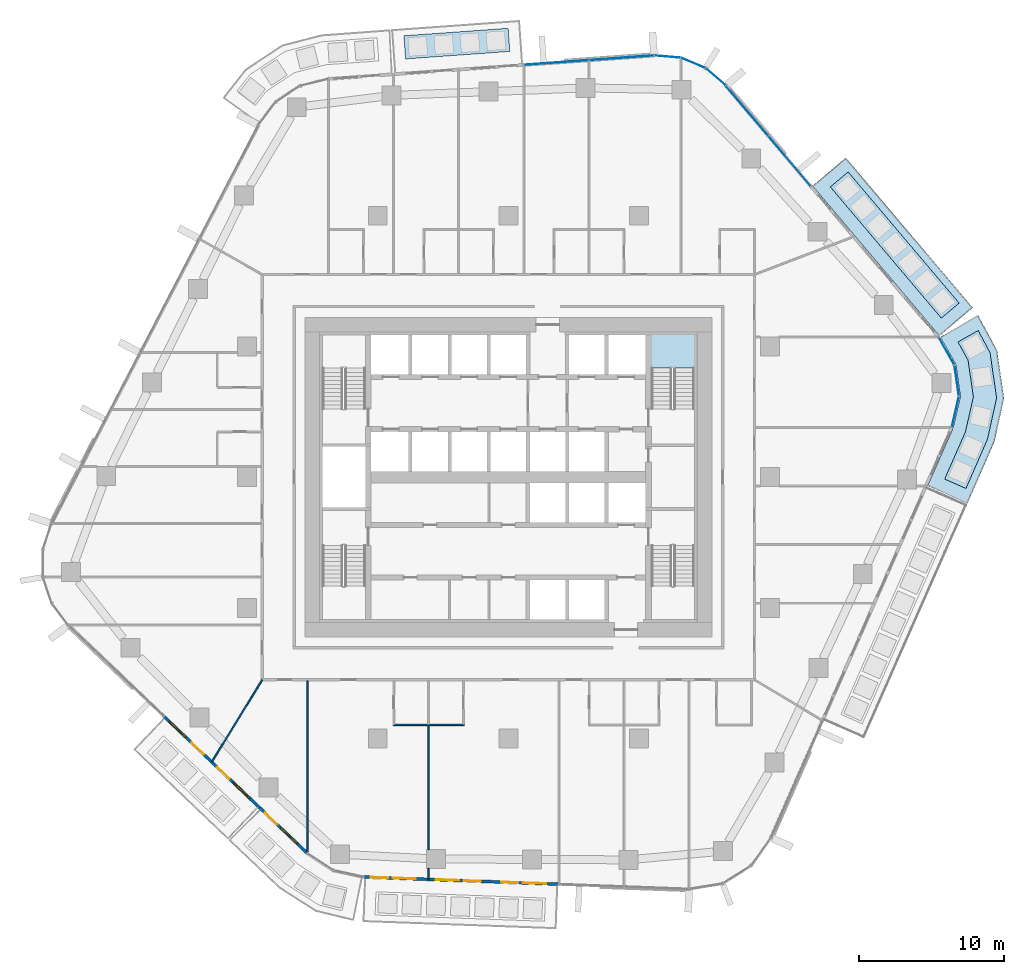
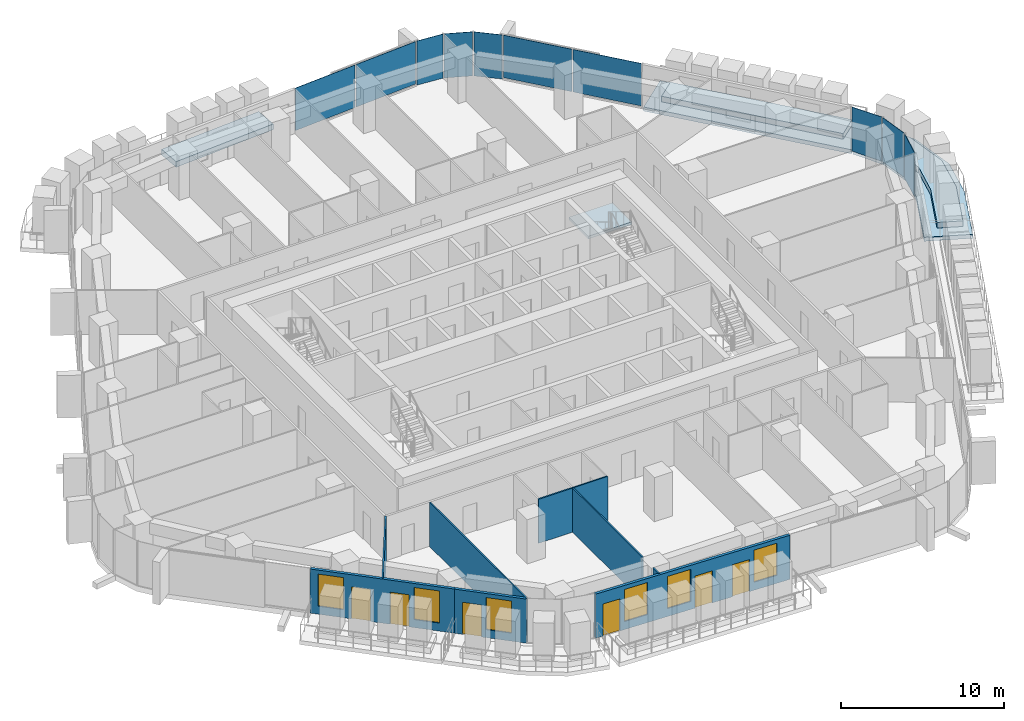
# One storey, part 11 of 24: 10 plates, 8 walls, 6 doors, 6 slabs, 6 windows, 12 openings, 5 elements without a shape of their own.
"""IFC4 building model written with IfcOpenShell, lengths in metres."""

from ifc_helpers import new_model, si_unit, direction, frame, frame_2d, origin, origin_2d, place, context, subcontext, project, spatial, polyline, rectangle, outline, extrude, material, layer, layer_set, type_object, element, fill, aggregate, save


model = new_model("IFC4")

# Units and contexts
model_context = context("Model", 3, precision=1e-05, world=origin(), true_north=direction((0.0, 1.0)))
body_context = subcontext(model_context, "Body", "Model", "MODEL_VIEW")
ifc_project = project(units=[si_unit("LENGTHUNIT", "METRE"), si_unit("AREAUNIT", "SQUARE_METRE"), si_unit("VOLUMEUNIT", "CUBIC_METRE"), si_unit("PLANEANGLEUNIT", "RADIAN"), si_unit("MASSUNIT", "GRAM", prefix="KILO")], contexts=[model_context])

# Site, building, storey
site_placement = place(None, origin())
site = spatial("IfcSite", under=ifc_project, at=site_placement, CompositionType="ELEMENT")
building_placement = place(site_placement, origin())
building = spatial("IfcBuilding", under=site, at=building_placement, Name="Dongbaek Canopy Tower", CompositionType="ELEMENT")
storey_placement = place(building_placement, frame((0.0, 0.0, 110.0)))
storey = spatial("IfcBuildingStorey", under=building, at=storey_placement, Name="L23", CompositionType="ELEMENT", Elevation=110.0)

# Slabs
ifc_material_1 = material(Name="Concrete C40/50", Category="concrete")
ifc_layer_1 = layer(ifc_material_1, 0.300048828125)
ifc_layer_set_1 = layer_set([ifc_layer_1], Name="Balcony slab 300")
slab_type_1 = type_object("IfcSlabType", Name="Balcony slab 300", PredefinedType="FLOOR", material=ifc_layer_set_1)
slab_1_placement = place(storey_placement, frame((0.0, 0.0, -0.300048828125)))
element("IfcSlab", 1, at=slab_1_placement, inside=storey, type_object=slab_type_1, Name="Balcony L23 1", PredefinedType="FLOOR", context=body_context, shape_type="SweptSolid", body=[
    extrude(outline(polyline([(29.67626953125, 9.7314453125), (20.938720703125, 20.0546875), (23.228515625, 21.99267578125), (31.966064453125, 11.669677734375), (29.67626953125, 9.7314453125)])), origin(), (0.0, 0.0, 1.0), 0.300048828125),
])
slab_2_placement = place(storey_placement, frame((0.0, 0.0, -0.300048828125)))
element("IfcSlab", 2, at=slab_2_placement, inside=storey, type_object=slab_type_1, Name="Balcony L23 6", PredefinedType="FLOOR", context=body_context, shape_type="SweptSolid", body=[
    extrude(outline(polyline([(28.859130859375, -0.596435546875), (30.619384765625, 3.397216796875), (31.123291015625, 5.561279296875), (30.80517578125, 7.760498046875), (29.733154296875, 9.649658203125), (32.342529296875, 11.13037109375), (33.6435546875, 8.732421875), (34.12060546875, 5.43359375), (33.465087890625, 2.44775390625), (31.6044921875, -1.806396484375), (28.859130859375, -0.596435546875)])), origin(), (0.0, 0.0, 1.0), 0.300048828125),
])

# Curtain wall, plates
ifc_material_2 = material(Name="Aluminium 6063-T6 pale anodised", Category="aluminium")
ifc_layer_2 = layer(ifc_material_2, 0.199951171875)
ifc_layer_set_2 = layer_set([ifc_layer_2], Name="CW-1 unitised tower curtain wall")
curtain_wall_type = type_object("IfcCurtainWallType", Name="CW-1 unitised tower curtain wall", PredefinedType="NOTDEFINED", material=ifc_layer_set_2)
curtain_wall_1_placement = place(storey_placement, origin())
curtain_wall_1 = element("IfcCurtainWall", 3, at=curtain_wall_1_placement, inside=storey, type_object=curtain_wall_type, Name="CW-1 curtain wall K0.1", PredefinedType="NOTDEFINED")
ifc_material_3 = material(Name="Clear laminated glass", Category="glass")
ifc_layer_3 = layer(ifc_material_3, 0.028076171875)
ifc_layer_set_3 = layer_set([ifc_layer_3], Name="CW-1 glazed panel 28")
plate_type = type_object("IfcPlateType", Name="CW-1 glazed panel 28", PredefinedType="CURTAIN_PANEL", material=ifc_layer_set_3)
plate_1_placement = place(storey_placement, frame((30.77294921875, 4.497314453125, 0.0), z_axis=(0.0, 0.0, 1.0), x_axis=(0.226863171729, 0.973926640622, 0.0)))
plate_1 = element("IfcPlate", 4, at=plate_1_placement, type_object=plate_type, Name="CW-1 panel K0.1.1.1", PredefinedType="CURTAIN_PANEL", context=body_context, shape_type="SweptSolid", body=[
    extrude(rectangle(XDim=2.10986328125, YDim=0.028076171875, at=origin_2d()), origin(), (0.0, 0.0, 1.0), 3.300048828125),
])
plate_2_placement = place(storey_placement, frame((30.865478515625, 6.646728515625, 0.0), z_axis=(0.0, 0.0, 1.0), x_axis=(-0.143155516293, 0.989700206201, 0.0)))
plate_2 = element("IfcPlate", 5, at=plate_2_placement, type_object=plate_type, Name="CW-1 panel K0.1.2.1", PredefinedType="CURTAIN_PANEL", context=body_context, shape_type="SweptSolid", body=[
    extrude(rectangle(XDim=2.100341796875, YDim=0.028076171875, at=origin_2d()), origin(), (0.0, 0.0, 1.0), 3.300048828125),
])
plate_3_placement = place(storey_placement, frame((30.167724609375, 8.681640625, 0.0), z_axis=(0.0, 0.0, 1.0), x_axis=(-0.493538616507, 0.869723883779, 0.0)))
plate_3 = element("IfcPlate", 6, at=plate_3_placement, type_object=plate_type, Name="CW-1 panel K0.1.3.1", PredefinedType="CURTAIN_PANEL", context=body_context, shape_type="SweptSolid", body=[
    extrude(rectangle(XDim=2.10986328125, YDim=0.028076171875, at=origin_2d()), origin(), (0.0, 0.0, 1.0), 3.300048828125),
])
aggregate(curtain_wall_1, [plate_1, plate_2, plate_3])

curtain_wall_2_placement = place(storey_placement, origin())
curtain_wall_2 = element("IfcCurtainWall", 7, at=curtain_wall_2_placement, inside=storey, type_object=curtain_wall_type, Name="CW-1 curtain wall F0.1", PredefinedType="NOTDEFINED")
plate_4_placement = place(storey_placement, frame((19.363037109375, 21.761474609375, 0.1201171875), z_axis=(0.0, 0.0, 1.0), x_axis=(-0.646056104712, 0.763289924972, 0.0)))
plate_4 = element("IfcPlate", 8, at=plate_4_placement, type_object=plate_type, Name="CW-1 panel F0.1.1.1", PredefinedType="CURTAIN_PANEL", context=body_context, shape_type="SweptSolid", body=[
    extrude(rectangle(XDim=4.45751953125, YDim=0.028076171875, at=origin_2d()), origin(), (0.0, 0.0, 1.0), 3.179931640625),
])
plate_5_placement = place(storey_placement, frame((16.431396484375, 25.224853515625, 0.1201171875), z_axis=(0.0, 0.0, 1.0), x_axis=(-0.646056104712, 0.763289924972, 0.0)))
plate_5 = element("IfcPlate", 9, at=plate_5_placement, type_object=plate_type, Name="CW-1 panel F0.1.2.1", PredefinedType="CURTAIN_PANEL", context=body_context, shape_type="SweptSolid", body=[
    extrude(rectangle(XDim=4.44970703125, YDim=0.028076171875, at=origin_2d()), origin(), (0.0, 0.0, 1.0), 3.179931640625),
])
aggregate(curtain_wall_2, [plate_4, plate_5])

curtain_wall_3_placement = place(storey_placement, origin())
curtain_wall_3 = element("IfcCurtainWall", 10, at=curtain_wall_3_placement, inside=storey, type_object=curtain_wall_type, Name="CW-1 curtain wall K1.1", PredefinedType="NOTDEFINED")
plate_6_placement = place(storey_placement, frame((14.266845703125, 27.55908203125, 0.0), z_axis=(0.0, 0.0, 1.0), x_axis=(-0.757258468525, 0.653115312825, 0.0)))
plate_6 = element("IfcPlate", 11, at=plate_6_placement, type_object=plate_type, Name="CW-1 panel K1.1.1.1", PredefinedType="CURTAIN_PANEL", context=body_context, shape_type="SweptSolid", body=[
    extrude(rectangle(XDim=1.76513671875, YDim=0.028076171875, at=origin_2d()), origin(), (0.0, 0.0, 1.0), 3.300048828125),
])
plate_7_placement = place(storey_placement, frame((12.71826171875, 28.519775390625, 0.0), z_axis=(0.0, 0.0, 1.0), x_axis=(-0.92172443786, 0.387845408186, 0.0)))
plate_7 = element("IfcPlate", 12, at=plate_7_placement, type_object=plate_type, Name="CW-1 panel K1.1.2.1", PredefinedType="CURTAIN_PANEL", context=body_context, shape_type="SweptSolid", body=[
    extrude(rectangle(XDim=1.757080078125, YDim=0.028076171875, at=origin_2d()), origin(), (0.0, 0.0, 1.0), 3.300048828125),
])
plate_8_placement = place(storey_placement, frame((10.948486328125, 28.955322265625, 0.0), z_axis=(0.0, 0.0, 1.0), x_axis=(-0.996398614139, 0.084792698641, 0.0)))
plate_8 = element("IfcPlate", 13, at=plate_8_placement, type_object=plate_type, Name="CW-1 panel K1.1.3.1", PredefinedType="CURTAIN_PANEL", context=body_context, shape_type="SweptSolid", body=[
    extrude(rectangle(XDim=1.76513671875, YDim=0.028076171875, at=origin_2d()), origin(), (0.0, 0.0, 1.0), 3.300048828125),
])
aggregate(curtain_wall_3, [plate_6, plate_7, plate_8])

curtain_wall_4_placement = place(storey_placement, origin())
curtain_wall_4 = element("IfcCurtainWall", 14, at=curtain_wall_4_placement, inside=storey, type_object=curtain_wall_type, Name="CW-1 curtain wall F1.1", PredefinedType="NOTDEFINED")
plate_9_placement = place(storey_placement, frame((7.7880859375, 28.87255859375, 0.1201171875), z_axis=(0.0, 0.0, 1.0), x_axis=(-0.997423165551, -0.071742796309, 0.0)))
plate_9 = element("IfcPlate", 15, at=plate_9_placement, type_object=plate_type, Name="CW-1 panel F1.1.1.1", PredefinedType="CURTAIN_PANEL", context=body_context, shape_type="SweptSolid", body=[
    extrude(rectangle(XDim=4.40576171875, YDim=0.028076171875, at=origin_2d()), origin(), (0.0, 0.0, 1.0), 3.179931640625),
])
plate_10_placement = place(storey_placement, frame((3.305908203125, 28.55029296875, 0.1201171875), z_axis=(0.0, 0.0, 1.0), x_axis=(-0.997423165551, -0.071742796309, 0.0)))
plate_10 = element("IfcPlate", 16, at=plate_10_placement, type_object=plate_type, Name="CW-1 panel F1.1.2.1", PredefinedType="CURTAIN_PANEL", context=body_context, shape_type="SweptSolid", body=[
    extrude(rectangle(XDim=4.41357421875, YDim=0.028076171875, at=origin_2d()), origin(), (0.0, 0.0, 1.0), 3.179931640625),
])
aggregate(curtain_wall_4, [plate_9, plate_10])

# Stair, slab
ifc_material_4 = material(Name="Concrete C40/50", Category="concrete")
stair_type = type_object("IfcStairType", Name="Core exit stair", PredefinedType="HALF_TURN_STAIR", material=ifc_material_4)
stair_placement = place(storey_placement, origin())
stair = element("IfcStair", 17, at=stair_placement, inside=storey, type_object=stair_type, Name="L23 exit stair A", PredefinedType="HALF_TURN_STAIR")
ifc_material_5 = material(Name="Concrete C40/50", Category="concrete")
ifc_layer_4 = layer(ifc_material_5, 0.199951171875)
ifc_layer_set_4 = layer_set([ifc_layer_4], Name="Core stair landing 200")
slab_type_2 = type_object("IfcSlabType", Name="Core stair landing 200", PredefinedType="LANDING", material=ifc_layer_set_4)
slab_3_placement = place(storey_placement, frame((0.0, 0.0, 1.64990234375)))
slab_3 = element("IfcSlab", 18, at=slab_3_placement, type_object=slab_type_2, Name="ST-A landing 1", PredefinedType="LANDING", context=body_context, shape_type="SweptSolid", body=[
    extrude(outline(polyline([(12.875, 7.5), (12.875, 9.875), (9.77490234375, 9.875), (9.77490234375, 7.5), (12.875, 7.5)])), origin(), (0.0, 0.0, 1.0), 0.2001953125),
])
aggregate(stair, [slab_3])

# Slabs
ifc_material_6 = material(Name="Reinforced concrete C40/50 planter box with soil", Category="concrete")
ifc_layer_5 = layer(ifc_material_6, 0.419921875)
ifc_layer_set_5 = layer_set([ifc_layer_5], Name="Terrace planter box 1600 x 420")
slab_type_3 = type_object("IfcSlabType", Name="Terrace planter box 1600 x 420", PredefinedType="USERDEFINED", material=ifc_layer_set_5)
slab_4_placement = place(storey_placement, origin())
element("IfcSlab", 19, at=slab_4_placement, inside=storey, type_object=slab_type_3, Name="Balcony planter L23 1", ObjectType="PLANTER", PredefinedType="USERDEFINED", context=body_context, shape_type="SweptSolid", body=[
    extrude(outline(polyline([(29.806396484375, 10.955078125), (22.167236328125, 19.980712890625), (23.388427734375, 21.014404296875), (31.02783203125, 11.98876953125), (29.806396484375, 10.955078125)])), origin(), (0.0, 0.0, 1.0), 0.419921875),
])
slab_5_placement = place(storey_placement, origin())
element("IfcSlab", 20, at=slab_5_placement, inside=storey, type_object=slab_type_3, Name="Balcony planter L23 2", ObjectType="PLANTER", PredefinedType="USERDEFINED", context=body_context, shape_type="SweptSolid", body=[
    extrude(outline(polyline([(0.09423828125, 29.311767578125), (-7.08251953125, 28.795654296875), (-7.197265625, 30.391357421875), (-0.0205078125, 30.90771484375), (0.09423828125, 29.311767578125)])), origin(), (0.0, 0.0, 1.0), 0.419921875),
])
slab_6_placement = place(storey_placement, origin())
element("IfcSlab", 21, at=slab_6_placement, inside=storey, type_object=slab_type_3, Name="Balcony planter L23 6", ObjectType="PLANTER", PredefinedType="USERDEFINED", context=body_context, shape_type="SweptSolid", body=[
    extrude(outline(polyline([(30.03662109375, -0.1318359375), (31.463623046875, 3.115478515625), (32.0126953125, 5.5234375), (31.647216796875, 8.048828125), (30.951416015625, 9.30615234375), (32.343017578125, 10.095947265625), (33.1611328125, 8.567138671875), (33.611083984375, 5.455322265625), (32.9814453125, 2.609130859375), (31.500732421875, -0.777099609375), (30.03662109375, -0.1318359375)])), origin(), (0.0, 0.0, 1.0), 0.419921875),
])

# Walls
ifc_material_7 = material(Name="Gypsum board partition, steel stud, 2 x 12.5 mm board", Category="steel")
ifc_layer_6 = layer(ifc_material_7, 0.10009765625)
ifc_layer_set_6 = layer_set([ifc_layer_6], Name="Partition 100 gypsum board")
wall_type_1 = type_object("IfcWallType", Name="Partition 100 gypsum board", PredefinedType="PARTITIONING", material=ifc_layer_set_6)
wall_1_placement = place(storey_placement, frame((-7.941650390625, -17.050048828125, 0.0), z_axis=(0.0, 0.0, 1.0), x_axis=(1.0, 0.0, 0.0)))
element("IfcWall", 22, at=wall_1_placement, inside=storey, type_object=wall_type_1, Name="Partition", PredefinedType="PARTITIONING", context=body_context, shape_type="SweptSolid", body=[
    extrude(rectangle(XDim=4.900146484375, YDim=0.10009765625, at=frame_2d((2.4501953125, 0.0))), origin(), (0.0, 0.0, 1.0), 3.300048828125),
])
wall_2_placement = place(storey_placement, frame((-20.415283203125, -19.595703125, 0.0), z_axis=(0.0, 0.0, 1.0), x_axis=(0.5230874117, 0.85227903865, 0.0)))
element("IfcWall", 23, at=wall_2_placement, inside=storey, type_object=wall_type_1, Name="Partition", PredefinedType="PARTITIONING", context=body_context, shape_type="SweptSolid", body=[
    extrude(rectangle(XDim=6.624267578125, YDim=0.10009765625, at=frame_2d((3.31201171875, 0.0))), origin(), (0.0, 0.0, 1.0), 3.300048828125),
])
wall_3_placement = place(storey_placement, frame((-5.491943359375, -27.673095703125, 0.0), z_axis=(0.0, 0.0, 1.0), x_axis=(0.0, 1.0, 0.0)))
element("IfcWall", 24, at=wall_3_placement, inside=storey, type_object=wall_type_1, Name="Partition", PredefinedType="PARTITIONING", context=body_context, shape_type="SweptSolid", body=[
    extrude(rectangle(XDim=0.733154296875, YDim=0.10009765625, at=frame_2d((0.36669921875, 0.0))), origin(), (0.0, 0.0, 1.0), 3.300048828125),
])
wall_4_placement = place(storey_placement, frame((-5.491943359375, -25.639892578125, 0.0), z_axis=(0.0, 0.0, 1.0), x_axis=(0.0, 1.0, 0.0)))
element("IfcWall", 25, at=wall_4_placement, inside=storey, type_object=wall_type_1, Name="Partition", PredefinedType="PARTITIONING", context=body_context, shape_type="SweptSolid", body=[
    extrude(rectangle(XDim=8.539794921875, YDim=0.10009765625, at=frame_2d((4.27001953125, 0.0))), origin(), (0.0, 0.0, 1.0), 3.300048828125),
])
wall_5_placement = place(storey_placement, frame((-13.846923828125, -25.865234375, 0.0), z_axis=(0.0, 0.0, 1.0), x_axis=(0.0, 1.0, 0.0)))
element("IfcWall", 26, at=wall_5_placement, inside=storey, type_object=wall_type_1, Name="Partition", PredefinedType="PARTITIONING", context=body_context, shape_type="SweptSolid", body=[
    extrude(rectangle(XDim=11.84033203125, YDim=0.10009765625, at=frame_2d((5.920166015625, 0.0))), origin(), (0.0, 0.0, 1.0), 3.300048828125),
])

# Wall, openings, doors, windows
ifc_material_8 = material(Name="Aluminium window wall", Category="aluminium")
ifc_layer_7 = layer(ifc_material_8, 0.199951171875)
ifc_layer_set_7 = layer_set([ifc_layer_7], Name="Window wall 200")
wall_type_2 = type_object("IfcWallType", Name="Window wall 200", PredefinedType="SOLIDWALL", material=ifc_layer_set_7)
wall_6_placement = place(storey_placement, frame((-23.718017578125, -16.470703125, 0.0), z_axis=(0.0, 0.0, 1.0), x_axis=(0.723342757747, -0.690489141706, 0.0)))
wall_6 = element("IfcWall", 27, at=wall_6_placement, inside=storey, type_object=wall_type_2, Name="Window wall L23 3", PredefinedType="SOLIDWALL", context=body_context, shape_type="SweptSolid", body=[
    extrude(rectangle(XDim=9.103271484375, YDim=0.199951171875, at=frame_2d((4.5517578125, 0.0))), origin(), (0.0, 0.0, 1.0), 3.300048828125),
])
opening_1_placement = place(wall_6_placement, frame((0.5, 0.0, 0.60009765625)))
opening_1 = element("IfcOpeningElement", 28, at=opening_1_placement, cuts=wall_6, Name="Opening W1", PredefinedType="OPENING", context=body_context, shape_type="SweptSolid", body=[
    extrude(rectangle(XDim=1.60009765625, YDim=2.39990234375, at=frame_2d((0.800048828125, 1.199951171875))), frame((0.0, 0.10986328125, 0.0), z_axis=(0.0, -1.0, 0.0), x_axis=(1.0, 0.0, 0.0)), (0.0, 0.0, 1.0), 0.219970703125),
])
opening_2_placement = place(wall_6_placement, frame((2.60009765625, 0.0, 0.0)))
opening_2 = element("IfcOpeningElement", 29, at=opening_2_placement, cuts=wall_6, Name="Opening L23-B07", PredefinedType="OPENING", context=body_context, shape_type="SweptSolid", body=[
    extrude(rectangle(XDim=1.199951171875, YDim=2.39990234375, at=frame_2d((0.60009765625, 1.199951171875))), frame((0.0, 0.10986328125, 0.0), z_axis=(0.0, -1.0, 0.0), x_axis=(1.0, 0.0, 0.0)), (0.0, 0.0, 1.0), 0.219970703125),
])
opening_3_placement = place(wall_6_placement, frame((6.5517578125, 0.0, 0.60009765625)))
opening_3 = element("IfcOpeningElement", 30, at=opening_3_placement, cuts=wall_6, Name="Opening W1", PredefinedType="OPENING", context=body_context, shape_type="SweptSolid", body=[
    extrude(rectangle(XDim=1.60009765625, YDim=2.39990234375, at=frame_2d((0.800048828125, 1.199951171875))), frame((0.0, 0.10986328125, 0.0), z_axis=(0.0, -1.0, 0.0), x_axis=(1.0, 0.0, 0.0)), (0.0, 0.0, 1.0), 0.219970703125),
])
opening_4_placement = place(wall_6_placement, frame((5.0517578125, 0.0, 0.0)))
opening_4 = element("IfcOpeningElement", 31, at=opening_4_placement, cuts=wall_6, Name="Opening L23-B08", PredefinedType="OPENING", context=body_context, shape_type="SweptSolid", body=[
    extrude(rectangle(XDim=1.199951171875, YDim=2.39990234375, at=frame_2d((0.60009765625, 1.199951171875))), frame((0.0, 0.10986328125, 0.0), z_axis=(0.0, -1.0, 0.0), x_axis=(1.0, 0.0, 0.0)), (0.0, 0.0, 1.0), 0.219970703125),
])
ifc_material_9 = material(Name="Clear glazing in aluminium frame", Category="aluminium")
door_type = type_object("IfcDoorType", Name="Balcony door BD1 1200 x 2400", OperationType="SLIDING_TO_LEFT", PredefinedType="DOOR", material=ifc_material_9)
door_1_placement = place(opening_2_placement, origin())
door_1 = element("IfcDoor", 32, at=door_1_placement, inside=storey, type_object=door_type, Name="Balcony door L23-B07", OperationType="SLIDING_TO_LEFT", OverallHeight=2.39990234375, OverallWidth=1.199951171875, PredefinedType="DOOR", context=body_context, shape_type="SweptSolid", body=[
    extrude(rectangle(XDim=1.199951171875, YDim=2.39990234375, at=frame_2d((0.60009765625, 1.199951171875))), frame((0.0, 0.02490234375, 0.0), z_axis=(0.0, -1.0, 0.0), x_axis=(1.0, 0.0, 0.0)), (0.0, 0.0, 1.0), 0.050048828125),
])
fill(opening_2, door_1)
door_2_placement = place(opening_4_placement, origin())
door_2 = element("IfcDoor", 33, at=door_2_placement, inside=storey, type_object=door_type, Name="Balcony door L23-B08", OperationType="SLIDING_TO_LEFT", OverallHeight=2.39990234375, OverallWidth=1.199951171875, PredefinedType="DOOR", context=body_context, shape_type="SweptSolid", body=[
    extrude(rectangle(XDim=1.199951171875, YDim=2.39990234375, at=frame_2d((0.60009765625, 1.199951171875))), frame((0.0, 0.02490234375, 0.0), z_axis=(0.0, -1.0, 0.0), x_axis=(1.0, 0.0, 0.0)), (0.0, 0.0, 1.0), 0.050048828125),
])
fill(opening_4, door_2)
ifc_material_10 = material(Name="Clear glazing in aluminium frame", Category="aluminium")
window_type = type_object("IfcWindowType", Name="Window W1 1600 x 2400", PartitioningType="SINGLE_PANEL", PredefinedType="WINDOW", material=ifc_material_10)
window_1_placement = place(opening_1_placement, origin())
window_1 = element("IfcWindow", 34, at=window_1_placement, inside=storey, type_object=window_type, Name="Window L23 3.1", OverallHeight=2.39990234375, OverallWidth=1.60009765625, PartitioningType="SINGLE_PANEL", PredefinedType="WINDOW", context=body_context, shape_type="SweptSolid", body=[
    extrude(rectangle(XDim=1.60009765625, YDim=2.39990234375, at=frame_2d((0.800048828125, 1.199951171875))), frame((0.0, 0.030029296875, 0.0), z_axis=(0.0, -1.0, 0.0), x_axis=(1.0, 0.0, 0.0)), (0.0, 0.0, 1.0), 0.06005859375),
])
fill(opening_1, window_1)
window_2_placement = place(opening_3_placement, origin())
window_2 = element("IfcWindow", 35, at=window_2_placement, inside=storey, type_object=window_type, Name="Window L23 3.2", OverallHeight=2.39990234375, OverallWidth=1.60009765625, PartitioningType="SINGLE_PANEL", PredefinedType="WINDOW", context=body_context, shape_type="SweptSolid", body=[
    extrude(rectangle(XDim=1.60009765625, YDim=2.39990234375, at=frame_2d((0.800048828125, 1.199951171875))), frame((0.0, 0.030029296875, 0.0), z_axis=(0.0, -1.0, 0.0), x_axis=(1.0, 0.0, 0.0)), (0.0, 0.0, 1.0), 0.06005859375),
])
fill(opening_3, window_2)

# Wall, openings, door, window
wall_7_placement = place(storey_placement, frame((-17.13330078125, -22.75634765625, 0.0), z_axis=(0.0, 0.0, 1.0), x_axis=(0.723361644964, -0.69046935529, 0.0)))
wall_7 = element("IfcWall", 36, at=wall_7_placement, inside=storey, type_object=wall_type_2, Name="Window wall L23 8", PredefinedType="SOLIDWALL", context=body_context, shape_type="SweptSolid", body=[
    extrude(rectangle(XDim=4.54248046875, YDim=0.199951171875, at=frame_2d((2.271240234375, 0.0))), origin(), (0.0, 0.0, 1.0), 3.300048828125),
])
opening_5_placement = place(wall_7_placement, frame((2.0, 0.0, 0.60009765625)))
opening_5 = element("IfcOpeningElement", 37, at=opening_5_placement, cuts=wall_7, Name="Opening W1", PredefinedType="OPENING", context=body_context, shape_type="SweptSolid", body=[
    extrude(rectangle(XDim=1.60009765625, YDim=2.39990234375, at=frame_2d((0.800048828125, 1.199951171875))), frame((0.0, 0.10986328125, 0.0), z_axis=(0.0, -1.0, 0.0), x_axis=(1.0, 0.0, 0.0)), (0.0, 0.0, 1.0), 0.219970703125),
])
opening_6_placement = place(wall_7_placement, frame((0.5, 0.0, 0.0)))
opening_6 = element("IfcOpeningElement", 38, at=opening_6_placement, cuts=wall_7, Name="Opening L23-B09", PredefinedType="OPENING", context=body_context, shape_type="SweptSolid", body=[
    extrude(rectangle(XDim=1.199951171875, YDim=2.39990234375, at=frame_2d((0.60009765625, 1.199951171875))), frame((0.0, 0.10986328125, 0.0), z_axis=(0.0, -1.0, 0.0), x_axis=(1.0, 0.0, 0.0)), (0.0, 0.0, 1.0), 0.219970703125),
])
door_3_placement = place(opening_6_placement, origin())
door_3 = element("IfcDoor", 39, at=door_3_placement, inside=storey, type_object=door_type, Name="Balcony door L23-B09", OperationType="SLIDING_TO_LEFT", OverallHeight=2.39990234375, OverallWidth=1.199951171875, PredefinedType="DOOR", context=body_context, shape_type="SweptSolid", body=[
    extrude(rectangle(XDim=1.199951171875, YDim=2.39990234375, at=frame_2d((0.60009765625, 1.199951171875))), frame((0.0, 0.02490234375, 0.0), z_axis=(0.0, -1.0, 0.0), x_axis=(1.0, 0.0, 0.0)), (0.0, 0.0, 1.0), 0.050048828125),
])
fill(opening_6, door_3)
window_3_placement = place(opening_5_placement, origin())
window_3 = element("IfcWindow", 40, at=window_3_placement, inside=storey, type_object=window_type, Name="Window L23 8.1", OverallHeight=2.39990234375, OverallWidth=1.60009765625, PartitioningType="SINGLE_PANEL", PredefinedType="WINDOW", context=body_context, shape_type="SweptSolid", body=[
    extrude(rectangle(XDim=1.60009765625, YDim=2.39990234375, at=frame_2d((0.800048828125, 1.199951171875))), frame((0.0, 0.030029296875, 0.0), z_axis=(0.0, -1.0, 0.0), x_axis=(1.0, 0.0, 0.0)), (0.0, 0.0, 1.0), 0.06005859375),
])
fill(opening_5, window_3)

# Wall, openings, doors, windows
wall_8_placement = place(storey_placement, frame((-9.975341796875, -27.52783203125, 0.0), z_axis=(0.0, 0.0, 1.0), x_axis=(0.999319917794, -0.036874135924, 0.0)))
wall_8 = element("IfcWall", 41, at=wall_8_placement, inside=storey, type_object=wall_type_2, Name="Window wall L23 4", PredefinedType="SOLIDWALL", context=body_context, shape_type="SweptSolid", body=[
    extrude(rectangle(XDim=13.460205078125, YDim=0.199951171875, at=frame_2d((6.72998046875, 0.0))), origin(), (0.0, 0.0, 1.0), 3.300048828125),
])
opening_7_placement = place(wall_8_placement, frame((2.0, 0.0, 0.60009765625)))
opening_7 = element("IfcOpeningElement", 42, at=opening_7_placement, cuts=wall_8, Name="Opening W1", PredefinedType="OPENING", context=body_context, shape_type="SweptSolid", body=[
    extrude(rectangle(XDim=1.60009765625, YDim=2.39990234375, at=frame_2d((0.800048828125, 1.199951171875))), frame((0.0, 0.10986328125, 0.0), z_axis=(0.0, -1.0, 0.0), x_axis=(1.0, 0.0, 0.0)), (0.0, 0.0, 1.0), 0.219970703125),
])
opening_8_placement = place(wall_8_placement, frame((0.5, 0.0, 0.0)))
opening_8 = element("IfcOpeningElement", 43, at=opening_8_placement, cuts=wall_8, Name="Opening L23-B10", PredefinedType="OPENING", context=body_context, shape_type="SweptSolid", body=[
    extrude(rectangle(XDim=1.199951171875, YDim=2.39990234375, at=frame_2d((0.60009765625, 1.199951171875))), frame((0.0, 0.10986328125, 0.0), z_axis=(0.0, -1.0, 0.0), x_axis=(1.0, 0.0, 0.0)), (0.0, 0.0, 1.0), 0.219970703125),
])
opening_9_placement = place(wall_8_placement, frame((4.98681640625, 0.0, 0.60009765625)))
opening_9 = element("IfcOpeningElement", 44, at=opening_9_placement, cuts=wall_8, Name="Opening W1", PredefinedType="OPENING", context=body_context, shape_type="SweptSolid", body=[
    extrude(rectangle(XDim=1.60009765625, YDim=2.39990234375, at=frame_2d((0.800048828125, 1.199951171875))), frame((0.0, 0.10986328125, 0.0), z_axis=(0.0, -1.0, 0.0), x_axis=(1.0, 0.0, 0.0)), (0.0, 0.0, 1.0), 0.219970703125),
])
opening_10_placement = place(wall_8_placement, frame((6.88671875, 0.0, 0.0)))
opening_10 = element("IfcOpeningElement", 45, at=opening_10_placement, cuts=wall_8, Name="Opening L23-B11", PredefinedType="OPENING", context=body_context, shape_type="SweptSolid", body=[
    extrude(rectangle(XDim=1.199951171875, YDim=2.39990234375, at=frame_2d((0.60009765625, 1.199951171875))), frame((0.0, 0.10986328125, 0.0), z_axis=(0.0, -1.0, 0.0), x_axis=(1.0, 0.0, 0.0)), (0.0, 0.0, 1.0), 0.219970703125),
])
opening_11_placement = place(wall_8_placement, frame((10.9736328125, 0.0, 0.60009765625)))
opening_11 = element("IfcOpeningElement", 46, at=opening_11_placement, cuts=wall_8, Name="Opening W1", PredefinedType="OPENING", context=body_context, shape_type="SweptSolid", body=[
    extrude(rectangle(XDim=1.60009765625, YDim=2.39990234375, at=frame_2d((0.800048828125, 1.199951171875))), frame((0.0, 0.10986328125, 0.0), z_axis=(0.0, -1.0, 0.0), x_axis=(1.0, 0.0, 0.0)), (0.0, 0.0, 1.0), 0.219970703125),
])
opening_12_placement = place(wall_8_placement, frame((9.4736328125, 0.0, 0.0)))
opening_12 = element("IfcOpeningElement", 47, at=opening_12_placement, cuts=wall_8, Name="Opening L23-B12", PredefinedType="OPENING", context=body_context, shape_type="SweptSolid", body=[
    extrude(rectangle(XDim=1.199951171875, YDim=2.39990234375, at=frame_2d((0.60009765625, 1.199951171875))), frame((0.0, 0.10986328125, 0.0), z_axis=(0.0, -1.0, 0.0), x_axis=(1.0, 0.0, 0.0)), (0.0, 0.0, 1.0), 0.219970703125),
])
door_4_placement = place(opening_8_placement, origin())
door_4 = element("IfcDoor", 48, at=door_4_placement, inside=storey, type_object=door_type, Name="Balcony door L23-B10", OperationType="SLIDING_TO_LEFT", OverallHeight=2.39990234375, OverallWidth=1.199951171875, PredefinedType="DOOR", context=body_context, shape_type="SweptSolid", body=[
    extrude(rectangle(XDim=1.199951171875, YDim=2.39990234375, at=frame_2d((0.60009765625, 1.199951171875))), frame((0.0, 0.02490234375, 0.0), z_axis=(0.0, -1.0, 0.0), x_axis=(1.0, 0.0, 0.0)), (0.0, 0.0, 1.0), 0.050048828125),
])
fill(opening_8, door_4)
door_5_placement = place(opening_10_placement, origin())
door_5 = element("IfcDoor", 49, at=door_5_placement, inside=storey, type_object=door_type, Name="Balcony door L23-B11", OperationType="SLIDING_TO_LEFT", OverallHeight=2.39990234375, OverallWidth=1.199951171875, PredefinedType="DOOR", context=body_context, shape_type="SweptSolid", body=[
    extrude(rectangle(XDim=1.199951171875, YDim=2.39990234375, at=frame_2d((0.60009765625, 1.199951171875))), frame((0.0, 0.02490234375, 0.0), z_axis=(0.0, -1.0, 0.0), x_axis=(1.0, 0.0, 0.0)), (0.0, 0.0, 1.0), 0.050048828125),
])
fill(opening_10, door_5)
door_6_placement = place(opening_12_placement, origin())
door_6 = element("IfcDoor", 50, at=door_6_placement, inside=storey, type_object=door_type, Name="Balcony door L23-B12", OperationType="SLIDING_TO_LEFT", OverallHeight=2.39990234375, OverallWidth=1.199951171875, PredefinedType="DOOR", context=body_context, shape_type="SweptSolid", body=[
    extrude(rectangle(XDim=1.199951171875, YDim=2.39990234375, at=frame_2d((0.60009765625, 1.199951171875))), frame((0.0, 0.02490234375, 0.0), z_axis=(0.0, -1.0, 0.0), x_axis=(1.0, 0.0, 0.0)), (0.0, 0.0, 1.0), 0.050048828125),
])
fill(opening_12, door_6)
window_4_placement = place(opening_7_placement, origin())
window_4 = element("IfcWindow", 51, at=window_4_placement, inside=storey, type_object=window_type, Name="Window L23 4.1", OverallHeight=2.39990234375, OverallWidth=1.60009765625, PartitioningType="SINGLE_PANEL", PredefinedType="WINDOW", context=body_context, shape_type="SweptSolid", body=[
    extrude(rectangle(XDim=1.60009765625, YDim=2.39990234375, at=frame_2d((0.800048828125, 1.199951171875))), frame((0.0, 0.030029296875, 0.0), z_axis=(0.0, -1.0, 0.0), x_axis=(1.0, 0.0, 0.0)), (0.0, 0.0, 1.0), 0.06005859375),
])
fill(opening_7, window_4)
window_5_placement = place(opening_9_placement, origin())
window_5 = element("IfcWindow", 52, at=window_5_placement, inside=storey, type_object=window_type, Name="Window L23 4.2", OverallHeight=2.39990234375, OverallWidth=1.60009765625, PartitioningType="SINGLE_PANEL", PredefinedType="WINDOW", context=body_context, shape_type="SweptSolid", body=[
    extrude(rectangle(XDim=1.60009765625, YDim=2.39990234375, at=frame_2d((0.800048828125, 1.199951171875))), frame((0.0, 0.030029296875, 0.0), z_axis=(0.0, -1.0, 0.0), x_axis=(1.0, 0.0, 0.0)), (0.0, 0.0, 1.0), 0.06005859375),
])
fill(opening_9, window_5)
window_6_placement = place(opening_11_placement, origin())
window_6 = element("IfcWindow", 53, at=window_6_placement, inside=storey, type_object=window_type, Name="Window L23 4.3", OverallHeight=2.39990234375, OverallWidth=1.60009765625, PartitioningType="SINGLE_PANEL", PredefinedType="WINDOW", context=body_context, shape_type="SweptSolid", body=[
    extrude(rectangle(XDim=1.60009765625, YDim=2.39990234375, at=frame_2d((0.800048828125, 1.199951171875))), frame((0.0, 0.030029296875, 0.0), z_axis=(0.0, -1.0, 0.0), x_axis=(1.0, 0.0, 0.0)), (0.0, 0.0, 1.0), 0.06005859375),
])
fill(opening_11, window_6)

save(model, "model.ifc")
